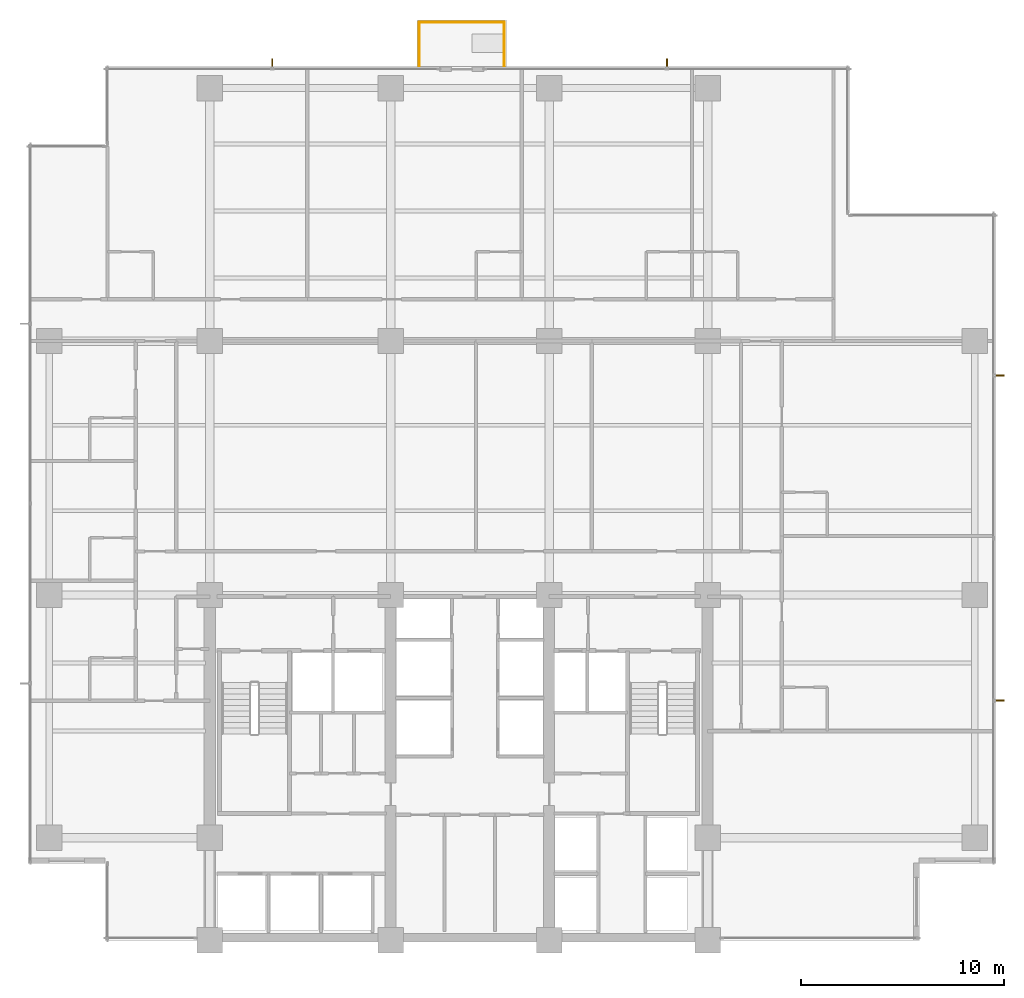
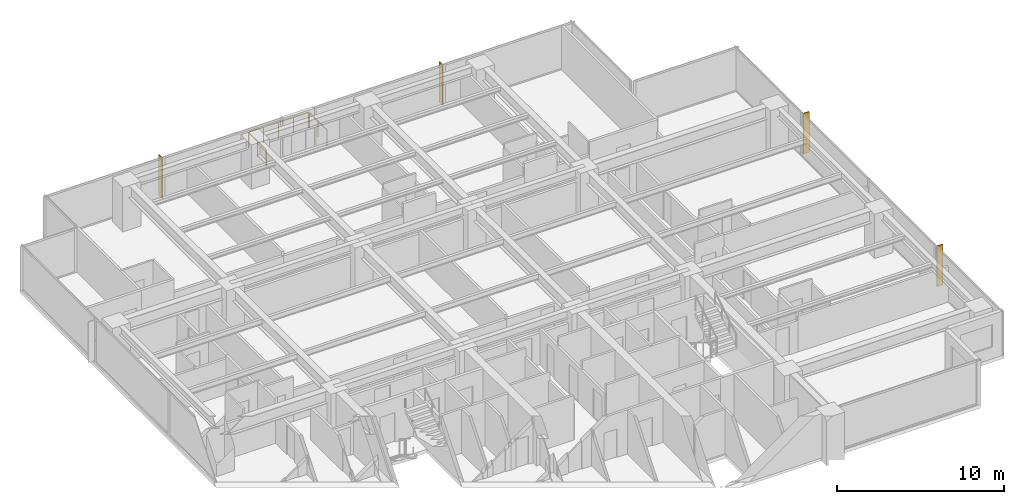
# One storey, part 17 of 17: 4 shading devices, 3 railings.
"""IFC4 building model written with IfcOpenShell, lengths in metres."""

from ifc_helpers import new_model, si_unit, direction, frame, origin, origin_2d, place, context, subcontext, project, spatial, polyline, circle, outline, extrude, material, layer, layer_set, type_object, element, save


model = new_model("IFC4")

# Units and contexts
model_context = context("Model", 3, precision=1e-05, world=origin(), true_north=direction((0.0, 1.0)))
body_context = subcontext(model_context, "Body", "Model", "MODEL_VIEW")
ifc_project = project(units=[si_unit("LENGTHUNIT", "METRE"), si_unit("AREAUNIT", "SQUARE_METRE"), si_unit("VOLUMEUNIT", "CUBIC_METRE"), si_unit("PLANEANGLEUNIT", "RADIAN"), si_unit("MASSUNIT", "GRAM", prefix="KILO")], contexts=[model_context])

# Site, building, storey
site_placement = place(None, origin())
site = spatial("IfcSite", under=ifc_project, at=site_placement, CompositionType="ELEMENT")
building_placement = place(site_placement, origin())
building = spatial("IfcBuilding", under=site, at=building_placement, Name="Qalmaran Belvedere Hotel", CompositionType="ELEMENT")
storey_placement = place(building_placement, frame((0.0, 0.0, 98.699951171875)))
storey = spatial("IfcBuildingStorey", under=building, at=storey_placement, Name="L24", CompositionType="ELEMENT", Elevation=98.699951171875)

# Shading devices
ifc_material = material(Name="Anodised Bronze Aluminium", Category="aluminium")
ifc_layer = layer(ifc_material, 0.06494140625, Name="Anodised Bronze Aluminium")
ifc_layer_set = layer_set([ifc_layer], Name="Anodised Bronze Aluminium")
shading_device_type = type_object("IfcShadingDeviceType", Name="FIN-BRNZ-420", PredefinedType="USERDEFINED", material=ifc_layer_set)
shading_device_1_placement = place(storey_placement, frame((0.0, 0.0, 0.16015625)))
element("IfcShadingDevice", 1, at=shading_device_1_placement, inside=storey, type_object=shading_device_type, Name="L24 Bronze Fin 1", ObjectType="FIN", PredefinedType="USERDEFINED", context=body_context, shape_type="SweptSolid", body=[
    extrude(outline(polyline([(58.969970703125, 15.267578125), (59.389892578125, 15.267578125), (59.389892578125, 15.33251953125), (58.969970703125, 15.33251953125), (58.969970703125, 15.267578125)])), origin(), (0.0, 0.0, 1.0), 2.9599609375),
])
shading_device_2_placement = place(storey_placement, frame((0.0, 0.0, 0.16015625)))
element("IfcShadingDevice", 2, at=shading_device_2_placement, inside=storey, type_object=shading_device_type, Name="L24 Bronze Fin 3", ObjectType="FIN", PredefinedType="USERDEFINED", context=body_context, shape_type="SweptSolid", body=[
    extrude(outline(polyline([(58.969970703125, 31.267578125), (59.389892578125, 31.267578125), (59.389892578125, 31.33251953125), (58.969970703125, 31.33251953125), (58.969970703125, 31.267578125)])), origin(), (0.0, 0.0, 1.0), 2.9599609375),
])
shading_device_3_placement = place(storey_placement, frame((0.0, 0.0, 0.16015625)))
element("IfcShadingDevice", 3, at=shading_device_3_placement, inside=storey, type_object=shading_device_type, Name="L24 Bronze Fin 1", ObjectType="FIN", PredefinedType="USERDEFINED", context=body_context, shape_type="SweptSolid", body=[
    extrude(outline(polyline([(23.407470703125, 46.469970703125), (23.407470703125, 46.889892578125), (23.342529296875, 46.889892578125), (23.342529296875, 46.469970703125), (23.407470703125, 46.469970703125)])), origin(), (0.0, 0.0, 1.0), 2.9599609375),
])
shading_device_4_placement = place(storey_placement, frame((0.0, 0.0, 0.16015625)))
element("IfcShadingDevice", 4, at=shading_device_4_placement, inside=storey, type_object=shading_device_type, Name="L24 Bronze Fin 1", ObjectType="FIN", PredefinedType="USERDEFINED", context=body_context, shape_type="SweptSolid", body=[
    extrude(outline(polyline([(42.83251953125, 46.469970703125), (42.83251953125, 46.889892578125), (42.767578125, 46.889892578125), (42.767578125, 46.469970703125), (42.83251953125, 46.469970703125)])), origin(), (0.0, 0.0, 1.0), 2.9599609375),
])

# Railings
railing_type = type_object("IfcRailingType", Name="GRD-BAL-1150", PredefinedType="BALUSTRADE", material=ifc_material)
railing_1_placement = place(storey_placement, frame((30.60009765625, 46.534912109375, 0.0)))
element("IfcRailing", 5, at=railing_1_placement, inside=storey, type_object=railing_type, Name="L24 Guardrail BAL-L24-N-1", PredefinedType="BALUSTRADE", context=body_context, shape_type="SweptSolid", body=[
    extrude(circle(Radius=0.02392578125, at=origin_2d()), frame((0.0, 0.0, 1.1259765625), z_axis=(0.0, 1.0, 0.0), x_axis=(-1.0, 0.0, 0.0)), (0.0, 0.0, 1.0), 2.130126953125),
    extrude(circle(Radius=0.02099609375, at=origin_2d()), origin(), (0.0, 0.0, 1.0), 1.101806640625),
    extrude(circle(Radius=0.02099609375, at=origin_2d()), frame((0.0, 1.06494140625, 0.0)), (0.0, 0.0, 1.0), 1.101806640625),
    extrude(circle(Radius=0.02099609375, at=origin_2d()), frame((0.0, 2.130126953125, 0.0)), (0.0, 0.0, 1.0), 1.101806640625),
])
railing_2_placement = place(storey_placement, frame((30.635009765625, 48.699951171875, 0.0)))
element("IfcRailing", 6, at=railing_2_placement, inside=storey, type_object=railing_type, Name="L24 Guardrail BAL-L24-N-2", PredefinedType="BALUSTRADE", context=body_context, shape_type="SweptSolid", body=[
    extrude(circle(Radius=0.02392578125, at=origin_2d()), frame((0.0, 0.0, 1.1259765625), z_axis=(1.0, 0.0, 0.0), x_axis=(0.0, 1.0, 0.0)), (0.0, 0.0, 1.0), 4.1298828125),
    extrude(circle(Radius=0.02099609375, at=origin_2d()), origin(), (0.0, 0.0, 1.0), 1.101806640625),
    extrude(circle(Radius=0.02099609375, at=origin_2d()), frame((1.032470703125, 0.0, 0.0)), (0.0, 0.0, 1.0), 1.101806640625),
    extrude(circle(Radius=0.02099609375, at=origin_2d()), frame((2.06494140625, 0.0, 0.0)), (0.0, 0.0, 1.0), 1.101806640625),
    extrude(circle(Radius=0.02099609375, at=origin_2d()), frame((3.097412109375, 0.0, 0.0)), (0.0, 0.0, 1.0), 1.101806640625),
    extrude(circle(Radius=0.02099609375, at=origin_2d()), frame((4.1298828125, 0.0, 0.0)), (0.0, 0.0, 1.0), 1.101806640625),
])
railing_3_placement = place(storey_placement, frame((34.800048828125, 48.6650390625, 0.0)))
element("IfcRailing", 7, at=railing_3_placement, inside=storey, type_object=railing_type, Name="L24 Guardrail BAL-L24-N-3", PredefinedType="BALUSTRADE", context=body_context, shape_type="SweptSolid", body=[
    extrude(circle(Radius=0.02392578125, at=origin_2d()), frame((0.0, 0.0, 1.1259765625), z_axis=(0.0, -1.0, 0.0), x_axis=(1.0, 0.0, 0.0)), (0.0, 0.0, 1.0), 2.130126953125),
    extrude(circle(Radius=0.02099609375, at=origin_2d()), origin(), (0.0, 0.0, 1.0), 1.101806640625),
    extrude(circle(Radius=0.02099609375, at=origin_2d()), frame((0.0, -1.06494140625, 0.0)), (0.0, 0.0, 1.0), 1.101806640625),
    extrude(circle(Radius=0.02099609375, at=origin_2d()), frame((0.0, -2.130126953125, 0.0)), (0.0, 0.0, 1.0), 1.101806640625),
])

save(model, "model.ifc")
